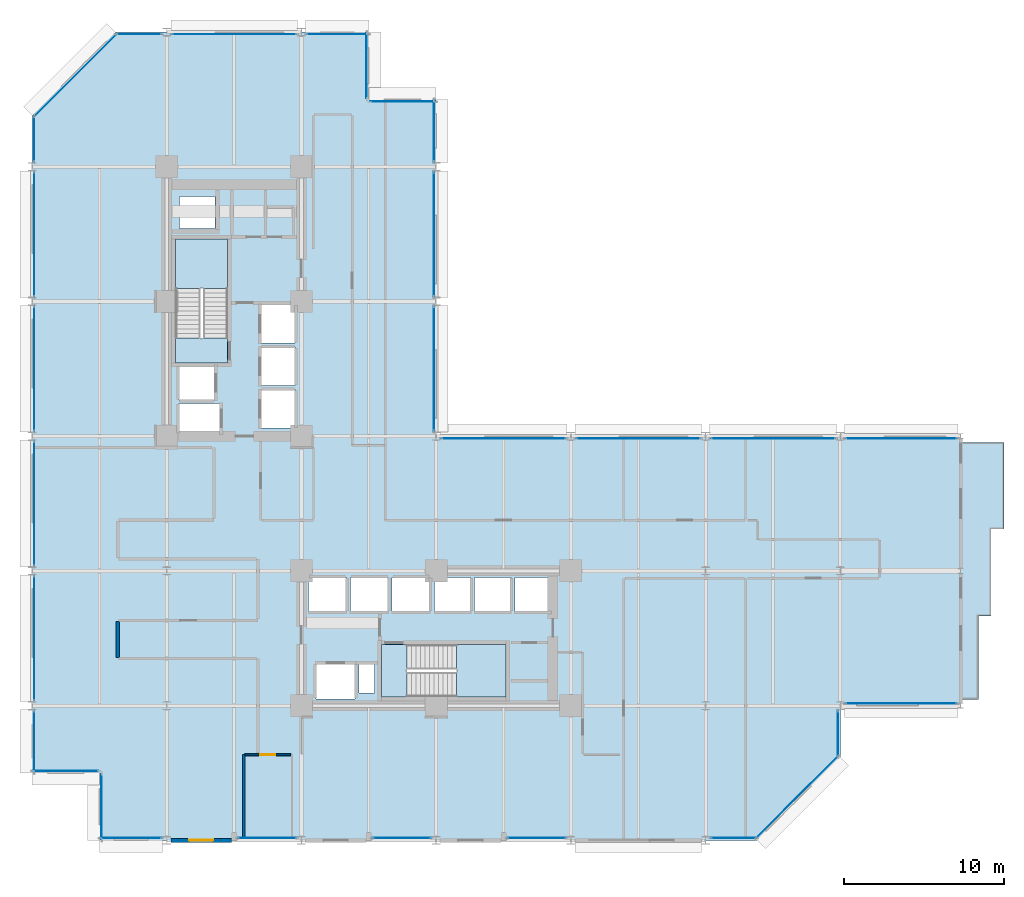
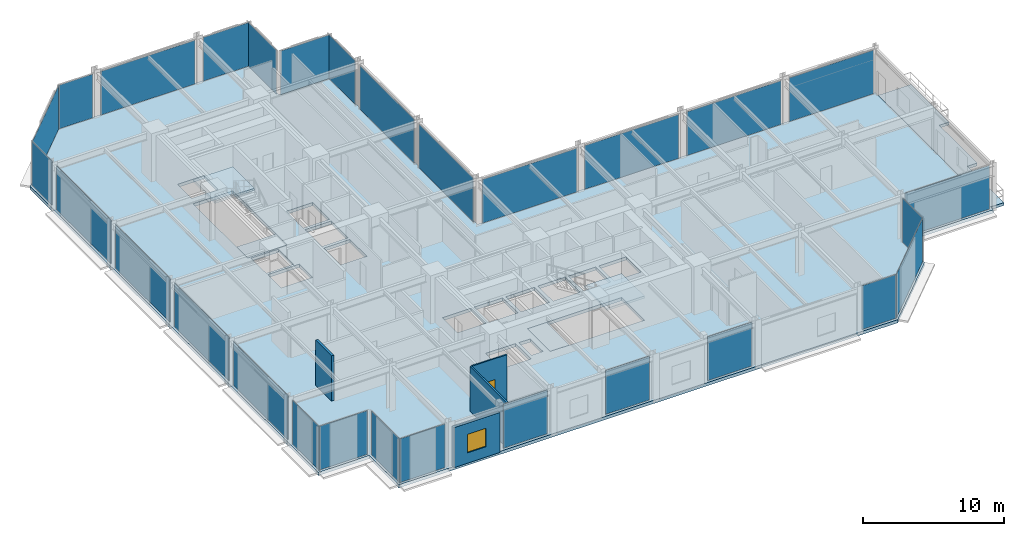
# One storey, part 21 of 27: 29 plates, 6 slabs, 4 walls, 1 door, 1 window, 2 openings, 31 elements without a shape of their own.
"""IFC4 building model written with IfcOpenShell, lengths in metres."""

from ifc_helpers import new_model, si_unit, direction, frame, frame_2d, origin, origin_2d, place, context, subcontext, project, spatial, polyline, rectangle, outline, extrude, material, layer, layer_set, type_object, element, fill, aggregate, save


model = new_model("IFC4")

# Units and contexts
model_context = context("Model", 3, precision=1e-05, world=origin(), true_north=direction((0.0, 1.0)))
body_context = subcontext(model_context, "Body", "Model", "MODEL_VIEW")
ifc_project = project(units=[si_unit("LENGTHUNIT", "METRE"), si_unit("AREAUNIT", "SQUARE_METRE"), si_unit("VOLUMEUNIT", "CUBIC_METRE"), si_unit("PLANEANGLEUNIT", "RADIAN"), si_unit("MASSUNIT", "GRAM", prefix="KILO")], contexts=[model_context])

# Site, building, storey
site_placement = place(None, origin())
site = spatial("IfcSite", under=ifc_project, at=site_placement, CompositionType="ELEMENT")
building_placement = place(site_placement, origin())
building = spatial("IfcBuilding", under=site, at=building_placement, Name="Nerrivon Quay Data Exchange", CompositionType="ELEMENT")
storey_placement = place(building_placement, frame((0.0, 0.0, 66.800048828125)))
storey = spatial("IfcBuildingStorey", under=building, at=storey_placement, Name="L15", CompositionType="ELEMENT", Elevation=66.800048828125)

# Curtain wall, plate
ifc_material_1 = material(Name="Anodised aluminium 6063-T6", Category="aluminium")
ifc_layer_1 = layer(ifc_material_1, 0.199951171875)
ifc_layer_set_1 = layer_set([ifc_layer_1], Name="Anodised aluminium 6063-T6")
curtain_wall_type_1 = type_object("IfcCurtainWallType", Name="CW-SYS-04", PredefinedType="NOTDEFINED", material=ifc_layer_set_1)
curtain_wall_1_placement = place(storey_placement, origin())
curtain_wall_1 = element("IfcCurtainWall", 1, at=curtain_wall_1_placement, inside=storey, type_object=curtain_wall_type_1, Name="L15 Unitised Curtain Wall 3", PredefinedType="NOTDEFINED")
ifc_material_2 = material(Name="Double-glazed low-E solar control glass", Category="glass")
ifc_layer_2 = layer(ifc_material_2, 0.028076171875)
ifc_layer_set_2 = layer_set([ifc_layer_2], Name="Double-glazed low-E solar control glass")
plate_type = type_object("IfcPlateType", Name="CWP-GLZ-28", PredefinedType="CURTAIN_PANEL", material=ifc_layer_set_2)
plate_1_placement = place(storey_placement, frame((54.197265625, 8.5400390625, 0.06494140625), z_axis=(0.0, 0.0, 1.0), x_axis=(-1.0, 0.0, 0.0)))
plate_1 = element("IfcPlate", 2, at=plate_1_placement, type_object=plate_type, Name="CW04 panel 1.1", PredefinedType="CURTAIN_PANEL", context=body_context, shape_type="SweptSolid", body=[
    extrude(rectangle(XDim=6.944580078125, YDim=0.028076171875, at=origin_2d()), origin(), (0.0, 0.0, 1.0), 3.794921875),
])
aggregate(curtain_wall_1, [plate_1])

ifc_layer_3 = layer(ifc_material_1, 0.219970703125)
ifc_layer_set_3 = layer_set([ifc_layer_3], Name="Anodised aluminium 6063-T6")
curtain_wall_type_2 = type_object("IfcCurtainWallType", Name="CW-SYS-01", PredefinedType="NOTDEFINED", material=ifc_layer_set_3)
curtain_wall_2_placement = place(storey_placement, origin())
curtain_wall_2 = element("IfcCurtainWall", 3, at=curtain_wall_2_placement, inside=storey, type_object=curtain_wall_type_2, Name="L15 Unitised Curtain Wall 4", PredefinedType="NOTDEFINED")
plate_2_placement = place(storey_placement, frame((50.260009765625, 6.675048828125, 0.06494140625), z_axis=(0.0, 0.0, 1.0), x_axis=(0.0, -1.0, 0.0)))
plate_2 = element("IfcPlate", 4, at=plate_2_placement, type_object=plate_type, Name="CW01 panel 1.1", PredefinedType="CURTAIN_PANEL", context=body_context, shape_type="SweptSolid", body=[
    extrude(rectangle(XDim=2.800048828125, YDim=0.028076171875, at=origin_2d()), origin(), (0.0, 0.0, 1.0), 3.794921875),
])
aggregate(curtain_wall_2, [plate_2])

curtain_wall_3_placement = place(storey_placement, origin())
curtain_wall_3 = element("IfcCurtainWall", 5, at=curtain_wall_3_placement, inside=storey, type_object=curtain_wall_type_2, Name="L15 Unitised Curtain Wall 5", PredefinedType="NOTDEFINED")
plate_3_placement = place(storey_placement, frame((47.700927734375, 2.698974609375, 0.06494140625), z_axis=(0.0, 0.0, 1.0), x_axis=(-0.707106781187, -0.707106781187, 0.0)))
plate_3 = element("IfcPlate", 6, at=plate_3_placement, type_object=plate_type, Name="CW01 panel 1.1", PredefinedType="CURTAIN_PANEL", context=body_context, shape_type="SweptSolid", body=[
    extrude(rectangle(XDim=7.203857421875, YDim=0.028076171875, at=origin_2d()), origin(), (0.0, 0.0, 1.0), 3.794921875),
])
aggregate(curtain_wall_3, [plate_3])

curtain_wall_4_placement = place(storey_placement, origin())
curtain_wall_4 = element("IfcCurtainWall", 7, at=curtain_wall_4_placement, inside=storey, type_object=curtain_wall_type_2, Name="L15 Unitised Curtain Wall 6", PredefinedType="NOTDEFINED")
plate_4_placement = place(storey_placement, frame((43.72509765625, 0.139892578125, 0.06494140625), z_axis=(0.0, 0.0, 1.0), x_axis=(-1.0, 0.0, 0.0)))
plate_4 = element("IfcPlate", 8, at=plate_4_placement, type_object=plate_type, Name="CW01 panel 1.1", PredefinedType="CURTAIN_PANEL", context=body_context, shape_type="SweptSolid", body=[
    extrude(rectangle(XDim=2.800048828125, YDim=0.028076171875, at=origin_2d()), origin(), (0.0, 0.0, 1.0), 3.794921875),
])
aggregate(curtain_wall_4, [plate_4])

curtain_wall_5_placement = place(storey_placement, origin())
curtain_wall_5 = element("IfcCurtainWall", 9, at=curtain_wall_5_placement, inside=storey, type_object=curtain_wall_type_2, Name="L15 Unitised Curtain Wall 8", PredefinedType="NOTDEFINED")
plate_5_placement = place(storey_placement, frame((31.46240234375, 0.139892578125, 0.06494140625), z_axis=(0.0, 0.0, 1.0), x_axis=(-1.0, 0.0, 0.0)))
plate_5 = element("IfcPlate", 10, at=plate_5_placement, type_object=plate_type, Name="CW01 panel 1.1", PredefinedType="CURTAIN_PANEL", context=body_context, shape_type="SweptSolid", body=[
    extrude(rectangle(XDim=3.625, YDim=0.028076171875, at=origin_2d()), origin(), (0.0, 0.0, 1.0), 3.794921875),
])
aggregate(curtain_wall_5, [plate_5])

curtain_wall_6_placement = place(storey_placement, origin())
curtain_wall_6 = element("IfcCurtainWall", 11, at=curtain_wall_6_placement, inside=storey, type_object=curtain_wall_type_2, Name="L15 Unitised Curtain Wall 10", PredefinedType="NOTDEFINED")
plate_6_placement = place(storey_placement, frame((23.0625, 0.139892578125, 0.06494140625), z_axis=(0.0, 0.0, 1.0), x_axis=(-1.0, 0.0, 0.0)))
plate_6 = element("IfcPlate", 12, at=plate_6_placement, type_object=plate_type, Name="CW01 panel 1.1", PredefinedType="CURTAIN_PANEL", context=body_context, shape_type="SweptSolid", body=[
    extrude(rectangle(XDim=3.625, YDim=0.028076171875, at=origin_2d()), origin(), (0.0, 0.0, 1.0), 3.794921875),
])
aggregate(curtain_wall_6, [plate_6])

curtain_wall_7_placement = place(storey_placement, origin())
curtain_wall_7 = element("IfcCurtainWall", 13, at=curtain_wall_7_placement, inside=storey, type_object=curtain_wall_type_2, Name="L15 Unitised Curtain Wall 12", PredefinedType="NOTDEFINED")
plate_7_placement = place(storey_placement, frame((14.66259765625, 0.139892578125, 0.06494140625), z_axis=(0.0, 0.0, 1.0), x_axis=(-1.0, 0.0, 0.0)))
plate_7 = element("IfcPlate", 14, at=plate_7_placement, type_object=plate_type, Name="CW01 panel 1.1", PredefinedType="CURTAIN_PANEL", context=body_context, shape_type="SweptSolid", body=[
    extrude(rectangle(XDim=3.625, YDim=0.028076171875, at=origin_2d()), origin(), (0.0, 0.0, 1.0), 3.794921875),
])
aggregate(curtain_wall_7, [plate_7])

curtain_wall_8_placement = place(storey_placement, origin())
curtain_wall_8 = element("IfcCurtainWall", 15, at=curtain_wall_8_placement, inside=storey, type_object=curtain_wall_type_2, Name="L15 Unitised Curtain Wall 14", PredefinedType="NOTDEFINED")
plate_8_placement = place(storey_placement, frame((6.175048828125, 0.139892578125, 0.06494140625), z_axis=(0.0, 0.0, 1.0), x_axis=(-1.0, 0.0, 0.0)))
plate_8 = element("IfcPlate", 16, at=plate_8_placement, type_object=plate_type, Name="CW01 panel 1.1", PredefinedType="CURTAIN_PANEL", context=body_context, shape_type="SweptSolid", body=[
    extrude(rectangle(XDim=3.800048828125, YDim=0.028076171875, at=origin_2d()), origin(), (0.0, 0.0, 1.0), 3.794921875),
])
aggregate(curtain_wall_8, [plate_8])

curtain_wall_9_placement = place(storey_placement, origin())
curtain_wall_9 = element("IfcCurtainWall", 17, at=curtain_wall_9_placement, inside=storey, type_object=curtain_wall_type_2, Name="L15 Unitised Curtain Wall 15", PredefinedType="NOTDEFINED")
plate_9_placement = place(storey_placement, frame((4.340087890625, 2.10009765625, 0.06494140625), z_axis=(0.0, 0.0, 1.0), x_axis=(0.0, 1.0, 0.0)))
plate_9 = element("IfcPlate", 18, at=plate_9_placement, type_object=plate_type, Name="CW01 panel 1.1", PredefinedType="CURTAIN_PANEL", context=body_context, shape_type="SweptSolid", body=[
    extrude(rectangle(XDim=4.050048828125, YDim=0.028076171875, at=origin_2d()), origin(), (0.0, 0.0, 1.0), 3.794921875),
])
aggregate(curtain_wall_9, [plate_9])

curtain_wall_10_placement = place(storey_placement, origin())
curtain_wall_10 = element("IfcCurtainWall", 19, at=curtain_wall_10_placement, inside=storey, type_object=curtain_wall_type_2, Name="L15 Unitised Curtain Wall 16", PredefinedType="NOTDEFINED")
plate_10_placement = place(storey_placement, frame((2.10009765625, 4.340087890625, 0.06494140625), z_axis=(0.0, 0.0, 1.0), x_axis=(-1.0, 0.0, 0.0)))
plate_10 = element("IfcPlate", 20, at=plate_10_placement, type_object=plate_type, Name="CW01 panel 1.1", PredefinedType="CURTAIN_PANEL", context=body_context, shape_type="SweptSolid", body=[
    extrude(rectangle(XDim=4.050048828125, YDim=0.028076171875, at=origin_2d()), origin(), (0.0, 0.0, 1.0), 3.794921875),
])
aggregate(curtain_wall_10, [plate_10])

curtain_wall_11_placement = place(storey_placement, origin())
curtain_wall_11 = element("IfcCurtainWall", 21, at=curtain_wall_11_placement, inside=storey, type_object=curtain_wall_type_2, Name="L15 Unitised Curtain Wall 17", PredefinedType="NOTDEFINED")
plate_11_placement = place(storey_placement, frame((0.139892578125, 6.175048828125, 0.06494140625), z_axis=(0.0, 0.0, 1.0), x_axis=(0.0, 1.0, 0.0)))
plate_11 = element("IfcPlate", 22, at=plate_11_placement, type_object=plate_type, Name="CW01 panel 1.1", PredefinedType="CURTAIN_PANEL", context=body_context, shape_type="SweptSolid", body=[
    extrude(rectangle(XDim=3.800048828125, YDim=0.028076171875, at=origin_2d()), origin(), (0.0, 0.0, 1.0), 3.794921875),
])
aggregate(curtain_wall_11, [plate_11])

curtain_wall_12_placement = place(storey_placement, origin())
curtain_wall_12 = element("IfcCurtainWall", 23, at=curtain_wall_12_placement, inside=storey, type_object=curtain_wall_type_2, Name="L15 Unitised Curtain Wall 18", PredefinedType="NOTDEFINED")
plate_12_placement = place(storey_placement, frame((0.139892578125, 12.60009765625, 0.06494140625), z_axis=(0.0, 0.0, 1.0), x_axis=(0.0, 1.0, 0.0)))
plate_12 = element("IfcPlate", 24, at=plate_12_placement, type_object=plate_type, Name="CW01 panel 1.1", PredefinedType="CURTAIN_PANEL", context=body_context, shape_type="SweptSolid", body=[
    extrude(rectangle(XDim=7.75, YDim=0.028076171875, at=origin_2d()), origin(), (0.0, 0.0, 1.0), 3.794921875),
])
aggregate(curtain_wall_12, [plate_12])

curtain_wall_13_placement = place(storey_placement, origin())
curtain_wall_13 = element("IfcCurtainWall", 25, at=curtain_wall_13_placement, inside=storey, type_object=curtain_wall_type_2, Name="L15 Unitised Curtain Wall 19", PredefinedType="NOTDEFINED")
plate_13_placement = place(storey_placement, frame((0.139892578125, 21.0, 0.06494140625), z_axis=(0.0, 0.0, 1.0), x_axis=(0.0, 1.0, 0.0)))
plate_13 = element("IfcPlate", 26, at=plate_13_placement, type_object=plate_type, Name="CW01 panel 1.1", PredefinedType="CURTAIN_PANEL", context=body_context, shape_type="SweptSolid", body=[
    extrude(rectangle(XDim=7.75, YDim=0.028076171875, at=origin_2d()), origin(), (0.0, 0.0, 1.0), 3.794921875),
])
aggregate(curtain_wall_13, [plate_13])

curtain_wall_14_placement = place(storey_placement, origin())
curtain_wall_14 = element("IfcCurtainWall", 27, at=curtain_wall_14_placement, inside=storey, type_object=curtain_wall_type_2, Name="L15 Unitised Curtain Wall 20", PredefinedType="NOTDEFINED")
plate_14_placement = place(storey_placement, frame((0.139892578125, 29.39990234375, 0.06494140625), z_axis=(0.0, 0.0, 1.0), x_axis=(0.0, 1.0, 0.0)))
plate_14 = element("IfcPlate", 28, at=plate_14_placement, type_object=plate_type, Name="CW01 panel 1.1", PredefinedType="CURTAIN_PANEL", context=body_context, shape_type="SweptSolid", body=[
    extrude(rectangle(XDim=7.75, YDim=0.028076171875, at=origin_2d()), origin(), (0.0, 0.0, 1.0), 3.794921875),
])
aggregate(curtain_wall_14, [plate_14])

curtain_wall_15_placement = place(storey_placement, origin())
curtain_wall_15 = element("IfcCurtainWall", 29, at=curtain_wall_15_placement, inside=storey, type_object=curtain_wall_type_2, Name="L15 Unitised Curtain Wall 21", PredefinedType="NOTDEFINED")
plate_15_placement = place(storey_placement, frame((0.139892578125, 37.800048828125, 0.06494140625), z_axis=(0.0, 0.0, 1.0), x_axis=(0.0, 1.0, 0.0)))
plate_15 = element("IfcPlate", 30, at=plate_15_placement, type_object=plate_type, Name="CW01 panel 1.1", PredefinedType="CURTAIN_PANEL", context=body_context, shape_type="SweptSolid", body=[
    extrude(rectangle(XDim=7.75, YDim=0.028076171875, at=origin_2d()), origin(), (0.0, 0.0, 1.0), 3.794921875),
])
aggregate(curtain_wall_15, [plate_15])

curtain_wall_16_placement = place(storey_placement, origin())
curtain_wall_16 = element("IfcCurtainWall", 31, at=curtain_wall_16_placement, inside=storey, type_object=curtain_wall_type_2, Name="L15 Unitised Curtain Wall 22", PredefinedType="NOTDEFINED")
plate_16_placement = place(storey_placement, frame((0.139892578125, 43.72509765625, 0.06494140625), z_axis=(0.0, 0.0, 1.0), x_axis=(0.0, 1.0, 0.0)))
plate_16 = element("IfcPlate", 32, at=plate_16_placement, type_object=plate_type, Name="CW01 panel 1.1", PredefinedType="CURTAIN_PANEL", context=body_context, shape_type="SweptSolid", body=[
    extrude(rectangle(XDim=2.800048828125, YDim=0.028076171875, at=origin_2d()), origin(), (0.0, 0.0, 1.0), 3.794921875),
])
aggregate(curtain_wall_16, [plate_16])

curtain_wall_17_placement = place(storey_placement, origin())
curtain_wall_17 = element("IfcCurtainWall", 33, at=curtain_wall_17_placement, inside=storey, type_object=curtain_wall_type_2, Name="L15 Unitised Curtain Wall 23", PredefinedType="NOTDEFINED")
plate_17_placement = place(storey_placement, frame((2.698974609375, 47.700927734375, 0.06494140625), z_axis=(0.0, 0.0, 1.0), x_axis=(0.707106781187, 0.707106781187, 0.0)))
plate_17 = element("IfcPlate", 34, at=plate_17_placement, type_object=plate_type, Name="CW01 panel 1.1", PredefinedType="CURTAIN_PANEL", context=body_context, shape_type="SweptSolid", body=[
    extrude(rectangle(XDim=7.203857421875, YDim=0.028076171875, at=origin_2d()), origin(), (0.0, 0.0, 1.0), 3.794921875),
])
aggregate(curtain_wall_17, [plate_17])

curtain_wall_18_placement = place(storey_placement, origin())
curtain_wall_18 = element("IfcCurtainWall", 35, at=curtain_wall_18_placement, inside=storey, type_object=curtain_wall_type_2, Name="L15 Unitised Curtain Wall 24", PredefinedType="NOTDEFINED")
plate_18_placement = place(storey_placement, frame((6.675048828125, 50.260009765625, 0.06494140625), z_axis=(0.0, 0.0, 1.0), x_axis=(1.0, 0.0, 0.0)))
plate_18 = element("IfcPlate", 36, at=plate_18_placement, type_object=plate_type, Name="CW01 panel 1.1", PredefinedType="CURTAIN_PANEL", context=body_context, shape_type="SweptSolid", body=[
    extrude(rectangle(XDim=2.800048828125, YDim=0.028076171875, at=origin_2d()), origin(), (0.0, 0.0, 1.0), 3.794921875),
])
aggregate(curtain_wall_18, [plate_18])

curtain_wall_19_placement = place(storey_placement, origin())
curtain_wall_19 = element("IfcCurtainWall", 37, at=curtain_wall_19_placement, inside=storey, type_object=curtain_wall_type_2, Name="L15 Unitised Curtain Wall 25", PredefinedType="NOTDEFINED")
plate_19_placement = place(storey_placement, frame((12.60009765625, 50.260009765625, 0.06494140625), z_axis=(0.0, 0.0, 1.0), x_axis=(1.0, 0.0, 0.0)))
plate_19 = element("IfcPlate", 38, at=plate_19_placement, type_object=plate_type, Name="CW01 panel 1.1", PredefinedType="CURTAIN_PANEL", context=body_context, shape_type="SweptSolid", body=[
    extrude(rectangle(XDim=7.75, YDim=0.028076171875, at=origin_2d()), origin(), (0.0, 0.0, 1.0), 3.794921875),
])
aggregate(curtain_wall_19, [plate_19])

curtain_wall_20_placement = place(storey_placement, origin())
curtain_wall_20 = element("IfcCurtainWall", 39, at=curtain_wall_20_placement, inside=storey, type_object=curtain_wall_type_2, Name="L15 Unitised Curtain Wall 26", PredefinedType="NOTDEFINED")
plate_20_placement = place(storey_placement, frame((19.02490234375, 50.260009765625, 0.06494140625), z_axis=(0.0, 0.0, 1.0), x_axis=(1.0, 0.0, 0.0)))
plate_20 = element("IfcPlate", 40, at=plate_20_placement, type_object=plate_type, Name="CW01 panel 1.1", PredefinedType="CURTAIN_PANEL", context=body_context, shape_type="SweptSolid", body=[
    extrude(rectangle(XDim=3.800048828125, YDim=0.028076171875, at=origin_2d()), origin(), (0.0, 0.0, 1.0), 3.794921875),
])
aggregate(curtain_wall_20, [plate_20])

curtain_wall_21_placement = place(storey_placement, origin())
curtain_wall_21 = element("IfcCurtainWall", 41, at=curtain_wall_21_placement, inside=storey, type_object=curtain_wall_type_2, Name="L15 Unitised Curtain Wall 27", PredefinedType="NOTDEFINED")
plate_21_placement = place(storey_placement, frame((20.860107421875, 48.300048828125, 0.06494140625), z_axis=(0.0, 0.0, 1.0), x_axis=(0.0, -1.0, 0.0)))
plate_21 = element("IfcPlate", 42, at=plate_21_placement, type_object=plate_type, Name="CW01 panel 1.1", PredefinedType="CURTAIN_PANEL", context=body_context, shape_type="SweptSolid", body=[
    extrude(rectangle(XDim=4.050048828125, YDim=0.028076171875, at=origin_2d()), origin(), (0.0, 0.0, 1.0), 3.794921875),
])
aggregate(curtain_wall_21, [plate_21])

curtain_wall_22_placement = place(storey_placement, origin())
curtain_wall_22 = element("IfcCurtainWall", 43, at=curtain_wall_22_placement, inside=storey, type_object=curtain_wall_type_2, Name="L15 Unitised Curtain Wall 28", PredefinedType="NOTDEFINED")
plate_22_placement = place(storey_placement, frame((23.10009765625, 46.06005859375, 0.06494140625), z_axis=(0.0, 0.0, 1.0), x_axis=(1.0, 0.0, 0.0)))
plate_22 = element("IfcPlate", 44, at=plate_22_placement, type_object=plate_type, Name="CW01 panel 1.1", PredefinedType="CURTAIN_PANEL", context=body_context, shape_type="SweptSolid", body=[
    extrude(rectangle(XDim=4.050048828125, YDim=0.028076171875, at=origin_2d()), origin(), (0.0, 0.0, 1.0), 3.794921875),
])
aggregate(curtain_wall_22, [plate_22])

curtain_wall_23_placement = place(storey_placement, origin())
curtain_wall_23 = element("IfcCurtainWall", 45, at=curtain_wall_23_placement, inside=storey, type_object=curtain_wall_type_2, Name="L15 Unitised Curtain Wall 29", PredefinedType="NOTDEFINED")
plate_23_placement = place(storey_placement, frame((25.06005859375, 44.22509765625, 0.06494140625), z_axis=(0.0, 0.0, 1.0), x_axis=(0.0, -1.0, 0.0)))
plate_23 = element("IfcPlate", 46, at=plate_23_placement, type_object=plate_type, Name="CW01 panel 1.1", PredefinedType="CURTAIN_PANEL", context=body_context, shape_type="SweptSolid", body=[
    extrude(rectangle(XDim=3.800048828125, YDim=0.028076171875, at=origin_2d()), origin(), (0.0, 0.0, 1.0), 3.794921875),
])
aggregate(curtain_wall_23, [plate_23])

curtain_wall_24_placement = place(storey_placement, origin())
curtain_wall_24 = element("IfcCurtainWall", 47, at=curtain_wall_24_placement, inside=storey, type_object=curtain_wall_type_2, Name="L15 Unitised Curtain Wall 30", PredefinedType="NOTDEFINED")
plate_24_placement = place(storey_placement, frame((25.06005859375, 37.800048828125, 0.06494140625), z_axis=(0.0, 0.0, 1.0), x_axis=(0.0, -1.0, 0.0)))
plate_24 = element("IfcPlate", 48, at=plate_24_placement, type_object=plate_type, Name="CW01 panel 1.1", PredefinedType="CURTAIN_PANEL", context=body_context, shape_type="SweptSolid", body=[
    extrude(rectangle(XDim=7.75, YDim=0.028076171875, at=origin_2d()), origin(), (0.0, 0.0, 1.0), 3.794921875),
])
aggregate(curtain_wall_24, [plate_24])

curtain_wall_25_placement = place(storey_placement, origin())
curtain_wall_25 = element("IfcCurtainWall", 49, at=curtain_wall_25_placement, inside=storey, type_object=curtain_wall_type_2, Name="L15 Unitised Curtain Wall 31", PredefinedType="NOTDEFINED")
plate_25_placement = place(storey_placement, frame((25.06005859375, 29.39990234375, 0.06494140625), z_axis=(0.0, 0.0, 1.0), x_axis=(0.0, -1.0, 0.0)))
plate_25 = element("IfcPlate", 50, at=plate_25_placement, type_object=plate_type, Name="CW01 panel 1.1", PredefinedType="CURTAIN_PANEL", context=body_context, shape_type="SweptSolid", body=[
    extrude(rectangle(XDim=7.75, YDim=0.028076171875, at=origin_2d()), origin(), (0.0, 0.0, 1.0), 3.794921875),
])
aggregate(curtain_wall_25, [plate_25])

curtain_wall_26_placement = place(storey_placement, origin())
curtain_wall_26 = element("IfcCurtainWall", 51, at=curtain_wall_26_placement, inside=storey, type_object=curtain_wall_type_2, Name="L15 Unitised Curtain Wall 32", PredefinedType="NOTDEFINED")
plate_26_placement = place(storey_placement, frame((29.39990234375, 25.06005859375, 0.06494140625), z_axis=(0.0, 0.0, 1.0), x_axis=(1.0, 0.0, 0.0)))
plate_26 = element("IfcPlate", 52, at=plate_26_placement, type_object=plate_type, Name="CW01 panel 1.1", PredefinedType="CURTAIN_PANEL", context=body_context, shape_type="SweptSolid", body=[
    extrude(rectangle(XDim=7.75, YDim=0.028076171875, at=origin_2d()), origin(), (0.0, 0.0, 1.0), 3.794921875),
])
aggregate(curtain_wall_26, [plate_26])

curtain_wall_27_placement = place(storey_placement, origin())
curtain_wall_27 = element("IfcCurtainWall", 53, at=curtain_wall_27_placement, inside=storey, type_object=curtain_wall_type_2, Name="L15 Unitised Curtain Wall 33", PredefinedType="NOTDEFINED")
plate_27_placement = place(storey_placement, frame((37.800048828125, 25.06005859375, 0.06494140625), z_axis=(0.0, 0.0, 1.0), x_axis=(1.0, 0.0, 0.0)))
plate_27 = element("IfcPlate", 54, at=plate_27_placement, type_object=plate_type, Name="CW01 panel 1.1", PredefinedType="CURTAIN_PANEL", context=body_context, shape_type="SweptSolid", body=[
    extrude(rectangle(XDim=7.75, YDim=0.028076171875, at=origin_2d()), origin(), (0.0, 0.0, 1.0), 3.794921875),
])
aggregate(curtain_wall_27, [plate_27])

curtain_wall_28_placement = place(storey_placement, origin())
curtain_wall_28 = element("IfcCurtainWall", 55, at=curtain_wall_28_placement, inside=storey, type_object=curtain_wall_type_2, Name="L15 Unitised Curtain Wall 34", PredefinedType="NOTDEFINED")
plate_28_placement = place(storey_placement, frame((46.199951171875, 25.06005859375, 0.06494140625), z_axis=(0.0, 0.0, 1.0), x_axis=(1.0, 0.0, 0.0)))
plate_28 = element("IfcPlate", 56, at=plate_28_placement, type_object=plate_type, Name="CW01 panel 1.1", PredefinedType="CURTAIN_PANEL", context=body_context, shape_type="SweptSolid", body=[
    extrude(rectangle(XDim=7.75, YDim=0.028076171875, at=origin_2d()), origin(), (0.0, 0.0, 1.0), 3.794921875),
])
aggregate(curtain_wall_28, [plate_28])

curtain_wall_29_placement = place(storey_placement, origin())
curtain_wall_29 = element("IfcCurtainWall", 57, at=curtain_wall_29_placement, inside=storey, type_object=curtain_wall_type_1, Name="L15 Unitised Curtain Wall 35", PredefinedType="NOTDEFINED")
plate_29_placement = place(storey_placement, frame((54.197265625, 25.06005859375, 0.06494140625), z_axis=(0.0, 0.0, 1.0), x_axis=(1.0, 0.0, 0.0)))
plate_29 = element("IfcPlate", 58, at=plate_29_placement, type_object=plate_type, Name="CW04 panel 1.1", PredefinedType="CURTAIN_PANEL", context=body_context, shape_type="SweptSolid", body=[
    extrude(rectangle(XDim=6.944580078125, YDim=0.028076171875, at=origin_2d()), origin(), (0.0, 0.0, 1.0), 3.794921875),
])
aggregate(curtain_wall_29, [plate_29])

# Slab
ifc_material_3 = material(Name="Precast white architectural concrete N50 (50 MPa)", Category="concrete")
ifc_layer_4 = layer(ifc_material_3, 0.25)
ifc_layer_set_4 = layer_set([ifc_layer_4], Name="Precast white architectural concrete N50 (50 MPa)")
slab_type_1 = type_object("IfcSlabType", Name="SLB-BAL-250", PredefinedType="FLOOR", material=ifc_layer_set_4)
slab_1_placement = place(storey_placement, frame((0.0, 0.0, -0.25)))
element("IfcSlab", 59, at=slab_1_placement, inside=storey, type_object=slab_type_1, Name="L15 East Hooked Drifting Verandah", PredefinedType="FLOOR", context=body_context, shape_type="SweptSolid", body=[
    extrude(outline(polyline([(59.0, 14.0), (59.800048828125, 14.0), (59.800048828125, 19.39990234375), (60.60009765625, 19.39990234375), (60.60009765625, 24.800048828125), (57.89990234375, 24.800048828125), (57.89990234375, 19.39990234375), (57.89990234375, 14.0), (57.89990234375, 8.800048828125), (59.0, 8.800048828125), (59.0, 14.0)])), origin(), (0.0, 0.0, 1.0), 0.25),
])

# Stair, slab
ifc_material_4 = material(Name="Concrete N50 (50 MPa)", Category="concrete")
stair_type = type_object("IfcStairType", Name="STAIR-DOG-42", PredefinedType="HALF_TURN_STAIR", material=ifc_material_4)
stair_1_placement = place(storey_placement, origin())
stair_1 = element("IfcStair", 60, at=stair_1_placement, inside=storey, type_object=stair_type, Name="L15 West Core Fire Stair ST01", PredefinedType="HALF_TURN_STAIR")
ifc_layer_5 = layer(ifc_material_4, 0.199951171875)
ifc_layer_set_5 = layer_set([ifc_layer_5], Name="Concrete N50 (50 MPa)")
slab_type_2 = type_object("IfcSlabType", Name="SLB-LAND-200", PredefinedType="LANDING", material=ifc_layer_set_5)
slab_2_placement = place(storey_placement, frame((0.0, 0.0, 1.89990234375)))
slab_2 = element("IfcSlab", 61, at=slab_2_placement, type_object=slab_type_2, Name="ST01 landing 1", PredefinedType="LANDING", context=body_context, shape_type="SweptSolid", body=[
    extrude(outline(polyline([(12.199951171875, 34.409912109375), (12.199951171875, 37.5), (8.949951171875, 37.5), (8.949951171875, 34.409912109375), (12.199951171875, 34.409912109375)])), origin(), (0.0, 0.0, 1.0), 0.199951171875),
])
aggregate(stair_1, [slab_2])

# Slab
slab_3_placement = place(storey_placement, frame((0.0, 0.0, -0.199951171875)))
element("IfcSlab", 62, at=slab_3_placement, inside=storey, type_object=slab_type_2, Name="L15 ST01 floor landing", PredefinedType="LANDING", context=body_context, shape_type="SweptSolid", body=[
    extrude(outline(polyline([(12.199951171875, 29.75), (12.199951171875, 31.330078125), (8.949951171875, 31.330078125), (8.949951171875, 29.75), (12.199951171875, 29.75)])), origin(), (0.0, 0.0, 1.0), 0.199951171875),
])

# Stair, slab
stair_2_placement = place(storey_placement, origin())
stair_2 = element("IfcStair", 63, at=stair_2_placement, inside=storey, type_object=stair_type, Name="L15 East Core Fire Stair ST02", PredefinedType="HALF_TURN_STAIR")
slab_4_placement = place(storey_placement, frame((0.0, 0.0, 1.89990234375)))
slab_4 = element("IfcSlab", 64, at=slab_4_placement, type_object=slab_type_2, Name="ST02 landing 1", PredefinedType="LANDING", context=body_context, shape_type="SweptSolid", body=[
    extrude(outline(polyline([(26.4599609375, 8.949951171875), (29.550048828125, 8.949951171875), (29.550048828125, 12.199951171875), (26.4599609375, 12.199951171875), (26.4599609375, 8.949951171875)])), origin(), (0.0, 0.0, 1.0), 0.199951171875),
])
aggregate(stair_2, [slab_4])

# Slabs
slab_5_placement = place(storey_placement, frame((0.0, 0.0, -0.199951171875)))
element("IfcSlab", 65, at=slab_5_placement, inside=storey, type_object=slab_type_2, Name="L15 ST02 floor landing", PredefinedType="LANDING", context=body_context, shape_type="SweptSolid", body=[
    extrude(outline(polyline([(21.800048828125, 8.949951171875), (23.3798828125, 8.949951171875), (23.3798828125, 12.199951171875), (21.800048828125, 12.199951171875), (21.800048828125, 8.949951171875)])), origin(), (0.0, 0.0, 1.0), 0.199951171875),
])
ifc_layer_6 = layer(ifc_material_4, 0.27490234375)
ifc_layer_set_6 = layer_set([ifc_layer_6], Name="Concrete N50 (50 MPa)")
slab_type_3 = type_object("IfcSlabType", Name="SLB-TOW-275", PredefinedType="FLOOR", material=ifc_layer_set_6)
slab_6_placement = place(storey_placement, frame((0.0, 0.0, -0.275146484375)))
element("IfcSlab", 66, at=slab_6_placement, inside=storey, type_object=slab_type_3, Name="L15 Primary Structural Slab", PredefinedType="FLOOR", context=body_context, shape_type="SweptSolid", body=[
    extrude(outline(polyline([(25.199951171875, 25.199951171875), (25.199951171875, 46.199951171875), (21.0, 46.199951171875), (21.0, 50.39990234375), (5.199951171875, 50.39990234375), (0.0, 45.199951171875), (0.0, 4.199951171875), (4.199951171875, 4.199951171875), (4.199951171875, 0.0), (45.199951171875, 0.0), (50.39990234375, 5.199951171875), (50.39990234375, 8.39990234375), (57.89990234375, 8.39990234375), (57.89990234375, 25.199951171875), (25.199951171875, 25.199951171875)]), holes=[polyline([(8.949951171875, 29.75), (8.949951171875, 37.5), (12.199951171875, 37.5), (12.199951171875, 29.75), (8.949951171875, 29.75)]), polyline([(21.800048828125, 12.199951171875), (29.550048828125, 12.199951171875), (29.550048828125, 8.949951171875), (21.800048828125, 8.949951171875), (21.800048828125, 12.199951171875)]), polyline([(30.10009765625, 16.39990234375), (32.35009765625, 16.39990234375), (32.35009765625, 14.25), (30.10009765625, 14.25), (30.10009765625, 16.39990234375)]), polyline([(27.60009765625, 16.39990234375), (29.85009765625, 16.39990234375), (29.85009765625, 14.25), (27.60009765625, 14.25), (27.60009765625, 16.39990234375)]), polyline([(25.10009765625, 16.39990234375), (27.35009765625, 16.39990234375), (27.35009765625, 14.25), (25.10009765625, 14.25), (25.10009765625, 16.39990234375)]), polyline([(22.449951171875, 16.39990234375), (24.800048828125, 16.39990234375), (24.800048828125, 14.25), (22.449951171875, 14.25), (22.449951171875, 16.39990234375)]), polyline([(19.85009765625, 16.39990234375), (22.199951171875, 16.39990234375), (22.199951171875, 14.25), (19.85009765625, 14.25), (19.85009765625, 16.39990234375)]), polyline([(20.39990234375, 11.0), (21.35009765625, 11.0), (21.35009765625, 9.199951171875), (20.39990234375, 9.199951171875), (20.39990234375, 11.0)]), polyline([(17.699951171875, 8.830078125), (17.699951171875, 11.030029296875), (20.14990234375, 11.030029296875), (20.14990234375, 8.830078125), (17.699951171875, 8.830078125)]), polyline([(17.25, 14.25), (17.25, 16.39990234375), (19.60009765625, 16.39990234375), (19.60009765625, 14.25), (17.25, 14.25)]), polyline([(14.25, 28.10009765625), (16.39990234375, 28.10009765625), (16.39990234375, 25.699951171875), (14.25, 25.699951171875), (14.25, 28.10009765625)]), polyline([(14.25, 30.75), (16.39990234375, 30.75), (16.39990234375, 28.35009765625), (14.25, 28.35009765625), (14.25, 30.75)]), polyline([(14.25, 33.39990234375), (16.39990234375, 33.39990234375), (16.39990234375, 31.0), (14.25, 31.0), (14.25, 33.39990234375)]), polyline([(9.14990234375, 27.25), (11.75, 27.25), (11.75, 25.35009765625), (9.14990234375, 25.35009765625), (9.14990234375, 27.25)]), polyline([(9.14990234375, 29.60009765625), (11.39990234375, 29.60009765625), (11.39990234375, 27.449951171875), (9.14990234375, 27.449951171875), (9.14990234375, 29.60009765625)]), polyline([(9.199951171875, 40.14990234375), (11.39990234375, 40.14990234375), (11.39990234375, 38.14990234375), (9.199951171875, 38.14990234375), (9.199951171875, 40.14990234375)])]), origin(), (0.0, 0.0, 1.0), 0.275146484375),
])

# Wall, opening, window
ifc_material_5 = material(Name="Architectural terracotta precast concrete N50 (50 MPa)", Category="masonry")
ifc_layer_7 = layer(ifc_material_5, 0.239990234375)
ifc_layer_set_7 = layer_set([ifc_layer_7], Name="Architectural terracotta precast concrete N50 (50 MPa)")
wall_type_1 = type_object("IfcWallType", Name="EW-PREC-240", PredefinedType="STANDARD", material=ifc_layer_set_7)
wall_1_placement = place(storey_placement, frame((12.425048828125, 0.0, 0.0), z_axis=(0.0, 0.0, 1.0), x_axis=(-1.0, 0.0, 0.0)))
wall_1 = element("IfcWall", 67, at=wall_1_placement, inside=storey, type_object=wall_type_1, Name="L15 Podium Precast Spandrel Wall 13", PredefinedType="STANDARD", context=body_context, shape_type="SweptSolid", body=[
    extrude(rectangle(XDim=3.775146484375, YDim=0.239990234375, at=frame_2d((1.8876953125, 0.0))), origin(), (0.0, 0.0, 1.0), 3.470947265625),
])
opening_1_placement = place(wall_1_placement, frame((1.137451171875, 0.0, 0.89990234375)))
opening_1 = element("IfcOpeningElement", 68, at=opening_1_placement, cuts=wall_1, Name="Opening WN4", PredefinedType="OPENING", context=body_context, shape_type="SweptSolid", body=[
    extrude(rectangle(XDim=1.5, YDim=1.60009765625, at=frame_2d((0.75, 0.800048828125))), frame((0.0, 0.1298828125, 0.0), z_axis=(0.0, -1.0, 0.0), x_axis=(1.0, 0.0, 0.0)), (0.0, 0.0, 1.0), 0.260009765625),
])
window_type = type_object("IfcWindowType", Name="WIN-W4-1500x1600", PartitioningType="SINGLE_PANEL", PredefinedType="WINDOW", material=ifc_material_2)
window_placement = place(opening_1_placement, origin())
window = element("IfcWindow", 69, at=window_placement, inside=storey, type_object=window_type, Name="L15 Solar Facade Window 13", OverallHeight=1.60009765625, OverallWidth=1.5, PartitioningType="SINGLE_PANEL", PredefinedType="WINDOW", context=body_context, shape_type="SweptSolid", body=[
    extrude(rectangle(XDim=1.5, YDim=1.60009765625, at=frame_2d((0.75, 0.800048828125))), frame((0.0, 0.030029296875, 0.0), z_axis=(0.0, -1.0, 0.0), x_axis=(1.0, 0.0, 0.0)), (0.0, 0.0, 1.0), 0.06005859375),
])
fill(opening_1, window)

# Wall
ifc_material_6 = material(Name="Gypsum plasterboard on cold-formed framing", Category="gypsum")
ifc_layer_8 = layer(ifc_material_6, 0.199951171875)
ifc_layer_set_8 = layer_set([ifc_layer_8], Name="Gypsum plasterboard on cold-formed framing")
wall_type_2 = type_object("IfcWallType", Name="WALL-FW-200", PredefinedType="PARTITIONING", material=ifc_layer_set_8)
wall_2_placement = place(storey_placement, frame((5.340087890625, 11.39990234375, 0.0), z_axis=(0.0, 0.0, 1.0), x_axis=(0.000108213396, 0.999999994145, 0.0)))
element("IfcWall", 70, at=wall_2_placement, inside=storey, type_object=wall_type_2, Name="L15 Partition Colocation Data Workspace 1", PredefinedType="PARTITIONING", context=body_context, shape_type="SweptSolid", body=[
    extrude(rectangle(XDim=2.256103515625, YDim=0.199951171875, at=frame_2d((1.1279296875, 0.0))), origin(), (0.0, 0.0, 1.0), 3.925048828125),
])

# Wall, opening, door
ifc_layer_9 = layer(ifc_material_6, 0.1201171875)
ifc_layer_set_9 = layer_set([ifc_layer_9], Name="Gypsum plasterboard on cold-formed framing")
wall_type_3 = type_object("IfcWallType", Name="WALL-PT-120", PredefinedType="PARTITIONING", material=ifc_layer_set_9)
wall_3_placement = place(storey_placement, frame((16.12841796875, 5.340087890625, 0.0), z_axis=(0.0, 0.0, 1.0), x_axis=(-1.0, 0.0, 0.0)))
wall_3 = element("IfcWall", 71, at=wall_3_placement, inside=storey, type_object=wall_type_3, Name="L15 Partition Accessible Toilet", PredefinedType="PARTITIONING", context=body_context, shape_type="SweptSolid", body=[
    extrude(rectangle(XDim=2.85693359375, YDim=0.1201171875, at=frame_2d((1.428466796875, 0.0))), origin(), (0.0, 0.0, 1.0), 3.925048828125),
])
opening_2_placement = place(wall_3_placement, frame((0.968505859375, 0.0, 0.0)))
opening_2 = element("IfcOpeningElement", 72, at=opening_2_placement, cuts=wall_3, Name="Opening D-WC", PredefinedType="OPENING", context=body_context, shape_type="SweptSolid", body=[
    extrude(rectangle(XDim=0.919921875, YDim=2.10009765625, at=frame_2d((0.4599609375, 1.050048828125))), frame((0.0, 0.070068359375, 0.0), z_axis=(0.0, -1.0, 0.0), x_axis=(1.0, 0.0, 0.0)), (0.0, 0.0, 1.0), 0.14013671875),
])
ifc_material_7 = material(Name="Engineered hardwood timber", Category="wood")
door_type = type_object("IfcDoorType", Name="DR-WC-920", OperationType="NOTDEFINED", PredefinedType="DOOR", material=ifc_material_7)
door_placement = place(opening_2_placement, origin())
door = element("IfcDoor", 73, at=door_placement, inside=storey, type_object=door_type, Name="L15 Door Accessible Toilet", OperationType="SINGLE_SWING_LEFT", OverallHeight=2.10009765625, OverallWidth=0.919921875, PredefinedType="DOOR", context=body_context, shape_type="SweptSolid", body=[
    extrude(rectangle(XDim=0.919921875, YDim=2.10009765625, at=frame_2d((0.4599609375, 1.050048828125))), frame((0.0, 0.02490234375, 0.0), z_axis=(0.0, -1.0, 0.0), x_axis=(1.0, 0.0, 0.0)), (0.0, 0.0, 1.0), 0.050048828125),
])
fill(opening_2, door)

# Wall
ifc_layer_10 = layer(ifc_material_6, 0.135009765625)
ifc_layer_set_10 = layer_set([ifc_layer_10], Name="Gypsum plasterboard on cold-formed framing")
wall_type_4 = type_object("IfcWallType", Name="WALL-PT-135", PredefinedType="PARTITIONING", material=ifc_layer_set_10)
wall_4_placement = place(storey_placement, frame((13.199951171875, 5.340087890625, 0.0), z_axis=(0.0, 0.0, 1.0), x_axis=(0.0, -1.0, 0.0)))
element("IfcWall", 74, at=wall_4_placement, inside=storey, type_object=wall_type_4, Name="L15 Partition Accessible Toilet", PredefinedType="PARTITIONING", context=body_context, shape_type="SweptSolid", body=[
    extrude(rectangle(XDim=5.171142578125, YDim=0.135009765625, at=frame_2d((2.58544921875, 0.0))), origin(), (0.0, 0.0, 1.0), 3.925048828125),
])

save(model, "model.ifc")
